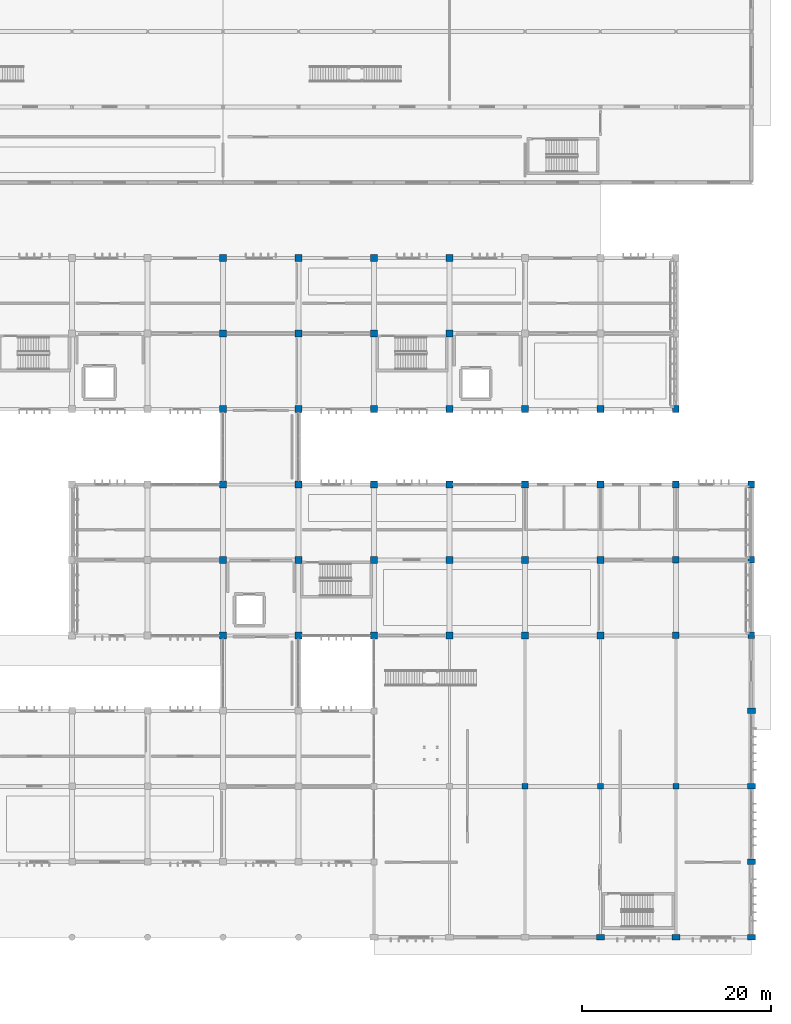
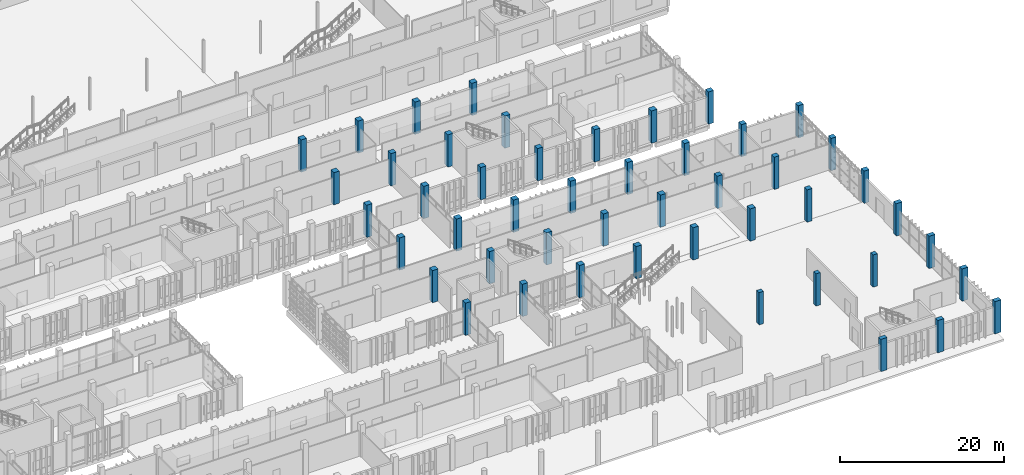
# One storey, part 15 of 117: 48 columns.
"""IFC4 building model written with IfcOpenShell, lengths in metres."""

from ifc_helpers import new_model, si_unit, direction, frame, origin, origin_2d, place, context, subcontext, project, spatial, rectangle, extrude, material, material_profile, profile_set, type_object, element, save


model = new_model("IFC4")

# Units and contexts
model_context = context("Model", 3, precision=1e-05, world=origin(), true_north=direction((0.0, 1.0)))
body_context = subcontext(model_context, "Body", "Model", "MODEL_VIEW")
ifc_project = project(units=[si_unit("LENGTHUNIT", "METRE"), si_unit("AREAUNIT", "SQUARE_METRE"), si_unit("VOLUMEUNIT", "CUBIC_METRE"), si_unit("PLANEANGLEUNIT", "RADIAN"), si_unit("MASSUNIT", "GRAM", prefix="KILO")], contexts=[model_context])

# Site, building, storey
site_placement = place(None, origin())
site = spatial("IfcSite", under=ifc_project, at=site_placement, CompositionType="ELEMENT")
building_placement = place(site_placement, origin())
building = spatial("IfcBuilding", under=site, at=building_placement, Name="Jelvoka-Kovrelna Polytechnic", CompositionType="ELEMENT")
storey_placement = place(building_placement, origin())
storey = spatial("IfcBuildingStorey", under=building, at=storey_placement, Name="L01", CompositionType="ELEMENT", Elevation=0.0)

# Columns
ifc_material_1 = material(Name="Concrete C40/50", Category="concrete")
ifc_material_profile_1 = material_profile(ifc_material_1, rectangle(XDim=0.60009765625, YDim=0.60009765625, at=origin_2d()), Name="RC 600x600")
ifc_profile_set_1 = profile_set([ifc_material_profile_1], Name="Concrete C40/50")
column_type_1 = type_object("IfcColumnType", Name="Col_RC_600", PredefinedType="COLUMN", material=ifc_profile_set_1)
for number, where, z_axis, x_axis, name in (
    (1, (176.0, 16.0, 0.0), (0.0, 0.0, 1.0), (1.0, 0.0, 0.0), "L01 column 0280"),
    (2, (184.0, 16.0, 0.0), (0.0, 0.0, 1.0), (1.0, 0.0, 0.0), "L01 column 0284"),
    (3, (192.0, 16.0, 0.0), (0.0, 0.0, 1.0), (1.0, 0.0, 0.0), "L01 column 0288"),
):
    element("IfcColumn", number, at=place(storey_placement, frame(where, z_axis=z_axis, x_axis=x_axis)), inside=storey, type_object=column_type_1, Name=name, PredefinedType="COLUMN", context=body_context, shape_type="SweptSolid", body=[
        extrude(rectangle(XDim=0.60009765625, YDim=0.60009765625, at=origin_2d()), origin(), (0.0, 0.0, 1.0), 4.800048828125),
    ])
ifc_material_2 = material(Name="Concrete C40/50", Category="concrete")
ifc_material_profile_2 = material_profile(ifc_material_2, rectangle(XDim=0.60009765625, YDim=0.85009765625, at=origin_2d()), Name="RC 600x850")
ifc_profile_set_2 = profile_set([ifc_material_profile_2], Name="Concrete C40/50")
column_type_2 = type_object("IfcColumnType", Name="Col_RC_600x850", PredefinedType="COLUMN", material=ifc_profile_set_2)
for number, where, z_axis, x_axis, name in (
    (4, (184.0, 0.0, 0.0), (0.0, 0.0, 1.0), (0.0, 1.0, 0.0), "L01 column 0073"),
    (5, (192.0, 0.0, 0.0), (0.0, 0.0, 1.0), (0.0, 1.0, 0.0), "L01 column 0077"),
    (6, (200.0, 0.0, 0.0), (0.0, 0.0, 1.0), (0.0, 1.0, 0.0), "L01 column 0081"),
    (7, (200.0, 8.0, 0.0), (0.0, 0.0, 1.0), (0.0, 1.0, 0.0), "L01 column 0179"),
    (8, (200.0, 16.0, 0.0), (0.0, 0.0, 1.0), (0.0, 1.0, 0.0), "L01 column 0292"),
    (9, (200.0, 24.0, 0.0), (0.0, 0.0, 1.0), (0.0, 1.0, 0.0), "L01 column 0405"),
):
    element("IfcColumn", number, at=place(storey_placement, frame(where, z_axis=z_axis, x_axis=x_axis)), inside=storey, type_object=column_type_2, Name=name, PredefinedType="COLUMN", context=body_context, shape_type="SweptSolid", body=[
        extrude(rectangle(XDim=0.60009765625, YDim=0.85009765625, at=origin_2d()), origin(), (0.0, 0.0, 1.0), 4.800048828125),
    ])
ifc_material_3 = material(Name="Concrete C40/50", Category="concrete")
ifc_material_profile_3 = material_profile(ifc_material_3, rectangle(XDim=0.699951171875, YDim=0.699951171875, at=origin_2d()), Name="RC 700x700")
ifc_profile_set_3 = profile_set([ifc_material_profile_3], Name="Concrete C40/50")
column_type_3 = type_object("IfcColumnType", Name="Col_RC_700", PredefinedType="COLUMN", material=ifc_profile_set_3)
for number, where, z_axis, x_axis, name in (
    (10, (192.0, 32.0, 0.0), (0.0, 0.0, 1.0), (1.0, 0.0, 0.0), "L01 column 0559"),
    (11, (200.0, 32.0, 0.0), (0.0, 0.0, 1.0), (1.0, 0.0, 0.0), "L01 column 0566"),
    (12, (192.0, 40.0, 0.0), (0.0, 0.0, 1.0), (1.0, 0.0, 0.0), "L01 column 0741"),
    (13, (200.0, 40.0, 0.0), (0.0, 0.0, 1.0), (1.0, 0.0, 0.0), "L01 column 0748"),
    (14, (192.0, 48.0, 0.0), (0.0, 0.0, 1.0), (1.0, 0.0, 0.0), "L01 column 0905"),
    (15, (200.0, 48.0, 0.0), (0.0, 0.0, 1.0), (1.0, 0.0, 0.0), "L01 column 0912"),
    (16, (192.0, 56.0, 0.0), (0.0, 0.0, 1.0), (1.0, 0.0, 0.0), "L01 column 1128"),
):
    element("IfcColumn", number, at=place(storey_placement, frame(where, z_axis=z_axis, x_axis=x_axis)), inside=storey, type_object=column_type_3, Name=name, PredefinedType="COLUMN", context=body_context, shape_type="SweptSolid", body=[
        extrude(rectangle(XDim=0.699951171875, YDim=0.699951171875, at=origin_2d()), origin(), (0.0, 0.0, 1.0), 4.800048828125),
    ])
ifc_material_4 = material(Name="Concrete C40/50", Category="concrete")
ifc_material_profile_4 = material_profile(ifc_material_4, rectangle(XDim=0.75, YDim=0.75, at=origin_2d()), Name="RC 750x750")
ifc_profile_set_4 = profile_set([ifc_material_profile_4], Name="Concrete C40/50")
column_type_4 = type_object("IfcColumnType", Name="Col_RC_750", PredefinedType="COLUMN", material=ifc_profile_set_4)
for number, where, z_axis, x_axis, name in (
    (17, (144.0, 32.0, 0.0), (0.0, 0.0, 1.0), (1.0, 0.0, 0.0), "L01 column 0511"),
    (18, (152.0, 32.0, 0.0), (0.0, 0.0, 1.0), (1.0, 0.0, 0.0), "L01 column 0519"),
    (19, (160.0, 32.0, 0.0), (0.0, 0.0, 1.0), (1.0, 0.0, 0.0), "L01 column 0527"),
    (20, (168.0, 32.0, 0.0), (0.0, 0.0, 1.0), (1.0, 0.0, 0.0), "L01 column 0535"),
    (21, (176.0, 32.0, 0.0), (0.0, 0.0, 1.0), (1.0, 0.0, 0.0), "L01 column 0543"),
    (22, (184.0, 32.0, 0.0), (0.0, 0.0, 1.0), (1.0, 0.0, 0.0), "L01 column 0551"),
    (23, (144.0, 40.0, 0.0), (0.0, 0.0, 1.0), (1.0, 0.0, 0.0), "L01 column 0693"),
    (24, (152.0, 40.0, 0.0), (0.0, 0.0, 1.0), (1.0, 0.0, 0.0), "L01 column 0701"),
    (25, (160.0, 40.0, 0.0), (0.0, 0.0, 1.0), (1.0, 0.0, 0.0), "L01 column 0709"),
    (26, (168.0, 40.0, 0.0), (0.0, 0.0, 1.0), (1.0, 0.0, 0.0), "L01 column 0717"),
    (27, (176.0, 40.0, 0.0), (0.0, 0.0, 1.0), (1.0, 0.0, 0.0), "L01 column 0725"),
    (28, (184.0, 40.0, 0.0), (0.0, 0.0, 1.0), (1.0, 0.0, 0.0), "L01 column 0733"),
    (29, (144.0, 48.0, 0.0), (0.0, 0.0, 1.0), (1.0, 0.0, 0.0), "L01 column 0857"),
    (30, (152.0, 48.0, 0.0), (0.0, 0.0, 1.0), (1.0, 0.0, 0.0), "L01 column 0865"),
    (31, (160.0, 48.0, 0.0), (0.0, 0.0, 1.0), (1.0, 0.0, 0.0), "L01 column 0873"),
    (32, (168.0, 48.0, 0.0), (0.0, 0.0, 1.0), (1.0, 0.0, 0.0), "L01 column 0881"),
    (33, (176.0, 48.0, 0.0), (0.0, 0.0, 1.0), (1.0, 0.0, 0.0), "L01 column 0889"),
    (34, (184.0, 48.0, 0.0), (0.0, 0.0, 1.0), (1.0, 0.0, 0.0), "L01 column 0897"),
    (35, (144.0, 56.0, 0.0), (0.0, 0.0, 1.0), (1.0, 0.0, 0.0), "L01 column 1074"),
    (36, (152.0, 56.0, 0.0), (0.0, 0.0, 1.0), (1.0, 0.0, 0.0), "L01 column 1083"),
    (37, (160.0, 56.0, 0.0), (0.0, 0.0, 1.0), (1.0, 0.0, 0.0), "L01 column 1092"),
    (38, (168.0, 56.0, 0.0), (0.0, 0.0, 1.0), (1.0, 0.0, 0.0), "L01 column 1101"),
    (39, (176.0, 56.0, 0.0), (0.0, 0.0, 1.0), (1.0, 0.0, 0.0), "L01 column 1110"),
    (40, (184.0, 56.0, 0.0), (0.0, 0.0, 1.0), (1.0, 0.0, 0.0), "L01 column 1119"),
    (41, (144.0, 64.0, 0.0), (0.0, 0.0, 1.0), (1.0, 0.0, 0.0), "L01 column 1241"),
    (42, (152.0, 64.0, 0.0), (0.0, 0.0, 1.0), (1.0, 0.0, 0.0), "L01 column 1250"),
    (43, (160.0, 64.0, 0.0), (0.0, 0.0, 1.0), (1.0, 0.0, 0.0), "L01 column 1259"),
    (44, (168.0, 64.0, 0.0), (0.0, 0.0, 1.0), (1.0, 0.0, 0.0), "L01 column 1268"),
    (45, (144.0, 72.0, 0.0), (0.0, 0.0, 1.0), (1.0, 0.0, 0.0), "L01 column 1402"),
    (46, (152.0, 72.0, 0.0), (0.0, 0.0, 1.0), (1.0, 0.0, 0.0), "L01 column 1411"),
    (47, (160.0, 72.0, 0.0), (0.0, 0.0, 1.0), (1.0, 0.0, 0.0), "L01 column 1420"),
    (48, (168.0, 72.0, 0.0), (0.0, 0.0, 1.0), (1.0, 0.0, 0.0), "L01 column 1429"),
):
    element("IfcColumn", number, at=place(storey_placement, frame(where, z_axis=z_axis, x_axis=x_axis)), inside=storey, type_object=column_type_4, Name=name, PredefinedType="COLUMN", context=body_context, shape_type="SweptSolid", body=[
        extrude(rectangle(XDim=0.75, YDim=0.75, at=origin_2d()), origin(), (0.0, 0.0, 1.0), 4.800048828125),
    ])

save(model, "model.ifc")
